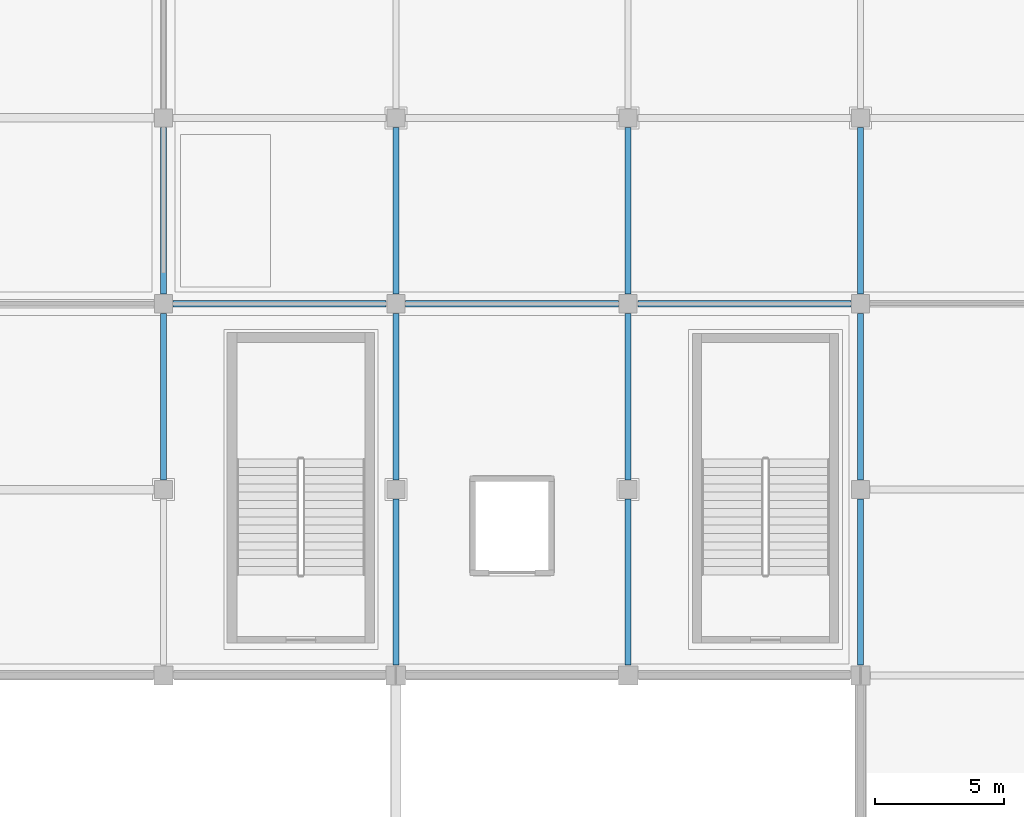
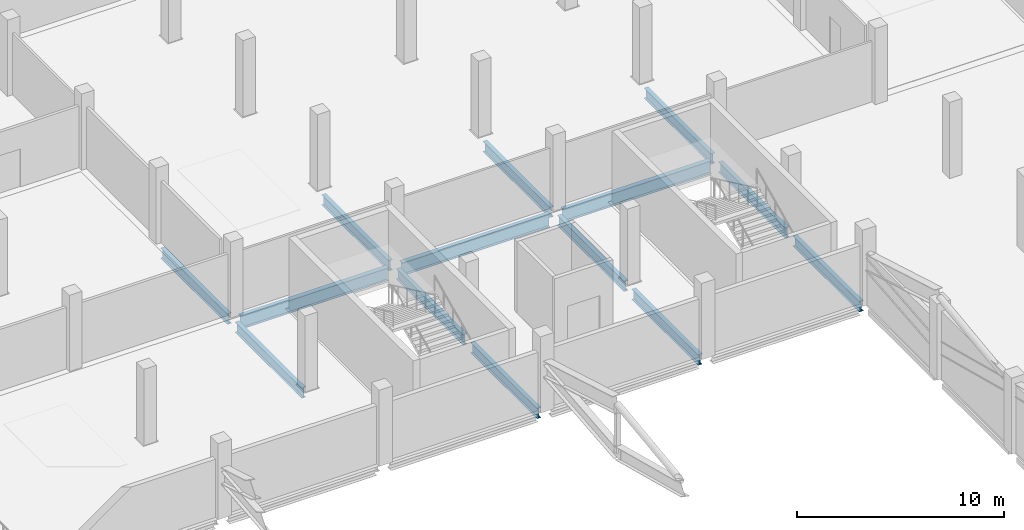
# One storey, part 32 of 151: 14 beams.
"""IFC4 building model written with IfcOpenShell, lengths in metres."""

from ifc_helpers import new_model, si_unit, direction, frame, origin, origin_2d, place, context, subcontext, project, spatial, i_section, extrude, material, material_profile, profile_set, type_object, element, save


model = new_model("IFC4")

# Units and contexts
model_context = context("Model", 3, precision=1e-05, world=origin(), true_north=direction((0.0, 1.0)))
body_context = subcontext(model_context, "Body", "Model", "MODEL_VIEW")
ifc_project = project(units=[si_unit("LENGTHUNIT", "METRE"), si_unit("AREAUNIT", "SQUARE_METRE"), si_unit("VOLUMEUNIT", "CUBIC_METRE"), si_unit("PLANEANGLEUNIT", "RADIAN"), si_unit("MASSUNIT", "GRAM", prefix="KILO")], contexts=[model_context])

# Site, building, storey
site_placement = place(None, origin())
site = spatial("IfcSite", under=ifc_project, at=site_placement, CompositionType="ELEMENT")
building_placement = place(site_placement, origin())
building = spatial("IfcBuilding", under=site, at=building_placement, Name="Celestram Park Convention Centre", CompositionType="ELEMENT")
storey_placement = place(building_placement, frame((0.0, 0.0, 10.800048828125)))
storey = spatial("IfcBuildingStorey", under=building, at=storey_placement, Name="L02", CompositionType="ELEMENT", Elevation=10.800048828125)

# Beams
ifc_material = material(Name="Steel ASTM A992 Grade 50", Category="steel")
ifc_material_profile_1 = material_profile(ifc_material, i_section(OverallWidth=0.22900390625, OverallDepth=0.612060546875, WebThickness=0.011962890625, FlangeThickness=0.01953125, at=origin_2d()), Name="W24X84")
ifc_profile_set_1 = profile_set([ifc_material_profile_1], Name="Steel ASTM A992 Grade 50")
beam_type_1 = type_object("IfcBeamType", Name="STR-BM-W24X84", PredefinedType="BEAM", material=ifc_profile_set_1)
for number, where, z_axis, x_axis, name in (
    (1, (99.0, 115.572998046875, -0.5859375), (0.0, 1.0, 0.0), (-1.0, 0.0, 0.0), "Primary Y-girder BG-L02-0112"),
    (2, (99.0, 122.77294921875, -0.5859375), (0.0, 1.0, 0.0), (-1.0, 0.0, 0.0), "Primary Y-girder BG-L02-0114"),
):
    element("IfcBeam", number, at=place(storey_placement, frame(where, z_axis=z_axis, x_axis=x_axis)), inside=storey, type_object=beam_type_1, Name=name, PredefinedType="BEAM", context=body_context, shape_type="SweptSolid", body=[
        extrude(i_section(OverallWidth=0.22900390625, OverallDepth=0.612060546875, WebThickness=0.011962890625, FlangeThickness=0.01953125, at=origin_2d()), origin(), (0.0, 0.0, 1.0), 6.4541015625),
    ])
beam_1_placement = place(storey_placement, frame((108.0, 108.39794921875, -0.5859375), z_axis=(0.0, 1.0, 0.0), x_axis=(-1.0, 0.0, 0.0)))
element("IfcBeam", 3, at=beam_1_placement, inside=storey, type_object=beam_type_1, Name="Primary Y-girder BG-L02-0127", PredefinedType="BEAM", context=body_context, shape_type="SweptSolid", body=[
    extrude(i_section(OverallWidth=0.22900390625, OverallDepth=0.612060546875, WebThickness=0.011962890625, FlangeThickness=0.01953125, at=origin_2d()), origin(), (0.0, 0.0, 1.0), 6.428955078125),
])
for number, where, z_axis, x_axis, name in (
    (4, (108.0, 115.572998046875, -0.5859375), (0.0, 1.0, 0.0), (-1.0, 0.0, 0.0), "Primary Y-girder BG-L02-0128"),
    (5, (108.0, 122.77294921875, -0.5859375), (0.0, 1.0, 0.0), (-1.0, 0.0, 0.0), "Primary Y-girder BG-L02-0130"),
):
    element("IfcBeam", number, at=place(storey_placement, frame(where, z_axis=z_axis, x_axis=x_axis)), inside=storey, type_object=beam_type_1, Name=name, PredefinedType="BEAM", context=body_context, shape_type="SweptSolid", body=[
        extrude(i_section(OverallWidth=0.22900390625, OverallDepth=0.612060546875, WebThickness=0.011962890625, FlangeThickness=0.01953125, at=origin_2d()), origin(), (0.0, 0.0, 1.0), 6.4541015625),
    ])
beam_2_placement = place(storey_placement, frame((117.0, 108.39794921875, -0.5859375), z_axis=(0.0, 1.0, 0.0), x_axis=(-1.0, 0.0, 0.0)))
element("IfcBeam", 6, at=beam_2_placement, inside=storey, type_object=beam_type_1, Name="Primary Y-girder BG-L02-0141", PredefinedType="BEAM", context=body_context, shape_type="SweptSolid", body=[
    extrude(i_section(OverallWidth=0.22900390625, OverallDepth=0.612060546875, WebThickness=0.011962890625, FlangeThickness=0.01953125, at=origin_2d()), origin(), (0.0, 0.0, 1.0), 6.428955078125),
])
for number, where, z_axis, x_axis, name in (
    (7, (117.0, 115.572998046875, -0.5859375), (0.0, 1.0, 0.0), (-1.0, 0.0, 0.0), "Primary Y-girder BG-L02-0142"),
    (8, (117.0, 122.77294921875, -0.5859375), (0.0, 1.0, 0.0), (-1.0, 0.0, 0.0), "Primary Y-girder BG-L02-0144"),
):
    element("IfcBeam", number, at=place(storey_placement, frame(where, z_axis=z_axis, x_axis=x_axis)), inside=storey, type_object=beam_type_1, Name=name, PredefinedType="BEAM", context=body_context, shape_type="SweptSolid", body=[
        extrude(i_section(OverallWidth=0.22900390625, OverallDepth=0.612060546875, WebThickness=0.011962890625, FlangeThickness=0.01953125, at=origin_2d()), origin(), (0.0, 0.0, 1.0), 6.4541015625),
    ])
beam_3_placement = place(storey_placement, frame((126.0, 108.39794921875, -0.5859375), z_axis=(0.0, 1.0, 0.0), x_axis=(-1.0, 0.0, 0.0)))
element("IfcBeam", 9, at=beam_3_placement, inside=storey, type_object=beam_type_1, Name="Primary Y-girder BG-L02-0180", PredefinedType="BEAM", context=body_context, shape_type="SweptSolid", body=[
    extrude(i_section(OverallWidth=0.22900390625, OverallDepth=0.612060546875, WebThickness=0.011962890625, FlangeThickness=0.01953125, at=origin_2d()), origin(), (0.0, 0.0, 1.0), 6.428955078125),
])
for number, where, z_axis, x_axis, name in (
    (10, (126.0, 115.572998046875, -0.5859375), (0.0, 1.0, 0.0), (-1.0, 0.0, 0.0), "Primary Y-girder BG-L02-0182"),
    (11, (126.0, 122.77294921875, -0.5859375), (0.0, 1.0, 0.0), (-1.0, 0.0, 0.0), "Primary Y-girder BG-L02-0184"),
):
    element("IfcBeam", number, at=place(storey_placement, frame(where, z_axis=z_axis, x_axis=x_axis)), inside=storey, type_object=beam_type_1, Name=name, PredefinedType="BEAM", context=body_context, shape_type="SweptSolid", body=[
        extrude(i_section(OverallWidth=0.22900390625, OverallDepth=0.612060546875, WebThickness=0.011962890625, FlangeThickness=0.01953125, at=origin_2d()), origin(), (0.0, 0.0, 1.0), 6.4541015625),
    ])
ifc_material_profile_2 = material_profile(ifc_material, i_section(OverallWidth=0.26708984375, OverallDepth=0.761962890625, WebThickness=0.014404296875, FlangeThickness=0.021484375, at=origin_2d()), Name="W30X116")
ifc_profile_set_2 = profile_set([ifc_material_profile_2], Name="Steel ASTM A992 Grade 50")
beam_type_2 = type_object("IfcBeamType", Name="STR-BM-W30X116", PredefinedType="BEAM", material=ifc_profile_set_2)
for number, where, z_axis, x_axis, name in (
    (12, (99.373046875, 122.39990234375, -0.6611328125), (1.0, 0.0, 0.0), (0.0, 1.0, 0.0), "Primary X-girder BG-L02-0113"),
    (13, (108.373046875, 122.39990234375, -0.6611328125), (1.0, 0.0, 0.0), (0.0, 1.0, 0.0), "Primary X-girder BG-L02-0129"),
    (14, (117.373046875, 122.39990234375, -0.6611328125), (1.0, 0.0, 0.0), (0.0, 1.0, 0.0), "Primary X-girder BG-L02-0143"),
):
    element("IfcBeam", number, at=place(storey_placement, frame(where, z_axis=z_axis, x_axis=x_axis)), inside=storey, type_object=beam_type_2, Name=name, PredefinedType="BEAM", context=body_context, shape_type="SweptSolid", body=[
        extrude(i_section(OverallWidth=0.26708984375, OverallDepth=0.761962890625, WebThickness=0.014404296875, FlangeThickness=0.021484375, at=origin_2d()), origin(), (0.0, 0.0, 1.0), 8.25390625),
    ])

save(model, "model.ifc")
